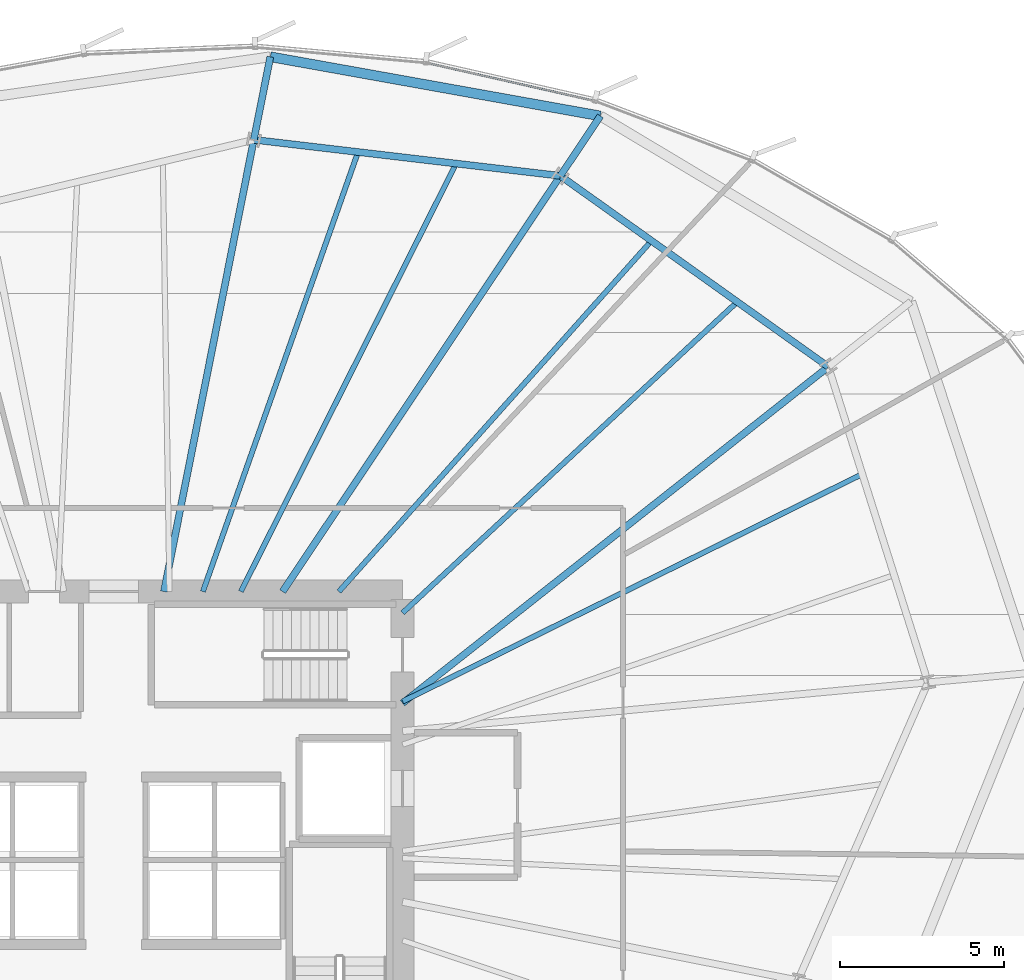
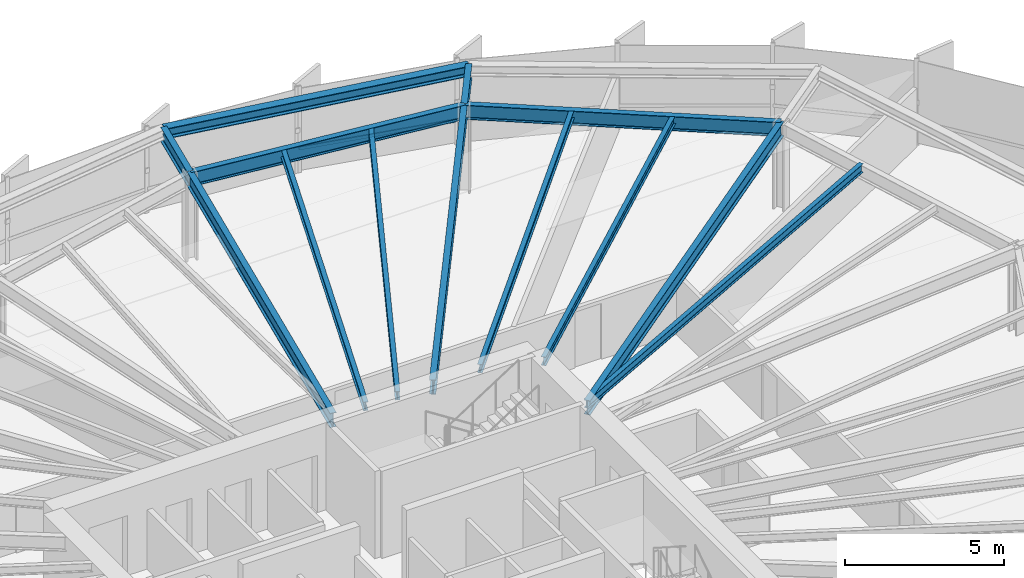
# One storey, part 22 of 35: 13 beams, 1 member, 1 element without a shape of its own.
"""IFC4 building model written with IfcOpenShell, lengths in metres."""

from ifc_helpers import new_model, si_unit, direction, frame, origin, origin_2d, place, context, subcontext, project, spatial, hollow_rectangle, i_section, extrude, source, transform, mapped, material, layer, layer_set, material_profile, profile_set, type_object, element, aggregate, save


model = new_model("IFC4")

# Units and contexts
model_context = context("Model", 3, precision=1e-05, world=origin(), true_north=direction((0.0, 1.0)))
body_context = subcontext(model_context, "Body", "Model", "MODEL_VIEW")
ifc_project = project(units=[si_unit("LENGTHUNIT", "METRE"), si_unit("AREAUNIT", "SQUARE_METRE"), si_unit("VOLUMEUNIT", "CUBIC_METRE"), si_unit("PLANEANGLEUNIT", "RADIAN"), si_unit("MASSUNIT", "GRAM", prefix="KILO"), si_unit("THERMODYNAMICTEMPERATUREUNIT", "KELVIN")], contexts=[model_context])

# Site, building, storey
site_placement = place(None, origin())
site = spatial("IfcSite", under=ifc_project, at=site_placement, CompositionType="ELEMENT")
building_placement = place(site_placement, origin())
building = spatial("IfcBuilding", under=site, at=building_placement, Name="Kethvar Cultural Tower", CompositionType="ELEMENT")
storey_placement = place(building_placement, frame((0.0, 0.0, 92.800048828125)))
storey = spatial("IfcBuildingStorey", under=building, at=storey_placement, Name="L22", CompositionType="ELEMENT", Elevation=92.800048828125)

# Beams
ifc_material_1 = material(Name="Steel S355J2", Category="steel")
ifc_material_profile_1 = material_profile(ifc_material_1, i_section(OverallWidth=0.2099609375, OverallDepth=0.550048828125, WebThickness=0.010986328125, FlangeThickness=0.01708984375, FilletRadius=0.02392578125, at=origin_2d()), Name="Steel S355J2 — IPE550")
ifc_profile_set_1 = profile_set([ifc_material_profile_1], Name="Steel S355J2 — IPE550")
beam_type_1 = type_object("IfcBeamType", Name="BM-IPE550", PredefinedType="BEAM", material=ifc_profile_set_1)
shared_shape_1 = source(origin(), body_context, "Body", "SweptSolid", [
    extrude(i_section(OverallWidth=0.2099609375, OverallDepth=0.550048828125, WebThickness=0.010986328125, FlangeThickness=0.01708984375, FilletRadius=0.02392578125, at=origin_2d()), origin(), (0.0, 0.0, 1.0), 16.527099609375),
])
beam_1_placement = place(storey_placement, frame((55.60009765625, 32.10009765625, 3.072998046875), z_axis=(0.784681939021, 0.619898584105, 0.0), x_axis=(-0.619898584105, 0.784681939021, 0.0)))
element("IfcBeam", 1, at=beam_1_placement, inside=storey, type_object=beam_type_1, Name="L22 Primary Radial Beam RB-02", PredefinedType="BEAM", context=body_context, shape_type="MappedRepresentation", body=[
    mapped(shared_shape_1, transform((0.0, 0.0, 0.0), scale=1.0)),
])
shared_shape_2 = source(origin(), body_context, "Body", "SweptSolid", [
    extrude(i_section(OverallWidth=0.2099609375, OverallDepth=0.550048828125, WebThickness=0.010986328125, FlangeThickness=0.01708984375, FilletRadius=0.02392578125, at=origin_2d()), origin(), (0.0, 0.0, 1.0), 15.22705078125),
])
beam_2_placement = place(storey_placement, frame((51.945068359375, 35.5, 3.072998046875), z_axis=(0.555569390778, 0.83147017507, 0.0), x_axis=(-0.83147017507, 0.555569390778, 0.0)))
element("IfcBeam", 2, at=beam_2_placement, inside=storey, type_object=beam_type_1, Name="L22 Primary Radial Beam RB-03", PredefinedType="BEAM", context=body_context, shape_type="MappedRepresentation", body=[
    mapped(shared_shape_2, transform((0.0, 0.0, 0.0), scale=1.0)),
])
shared_shape_3 = source(origin(), body_context, "Body", "SweptSolid", [
    extrude(i_section(OverallWidth=0.2099609375, OverallDepth=0.550048828125, WebThickness=0.010986328125, FlangeThickness=0.01708984375, FilletRadius=0.02392578125, at=origin_2d()), origin(), (0.0, 0.0, 1.0), 14.02880859375),
])
beam_3_placement = place(storey_placement, frame((48.33154296875, 35.5, 3.072998046875), z_axis=(0.195101986683, 0.980782960085, 0.0), x_axis=(-0.980782960085, 0.195101986683, 0.0)))
element("IfcBeam", 3, at=beam_3_placement, inside=storey, type_object=beam_type_1, Name="L22 Primary Radial Beam RB-04", PredefinedType="BEAM", context=body_context, shape_type="MappedRepresentation", body=[
    mapped(shared_shape_3, transform((0.0, 0.0, 0.0), scale=1.0)),
])
ifc_material_profile_2 = material_profile(ifc_material_1, i_section(OverallWidth=0.159912109375, OverallDepth=0.330078125, WebThickness=0.007568359375, FlangeThickness=0.011474609375, FilletRadius=0.01806640625, at=origin_2d()), Name="Steel S355J2 — IPE330")
ifc_profile_set_2 = profile_set([ifc_material_profile_2], Name="Steel S355J2 — IPE330")
beam_type_2 = type_object("IfcBeamType", Name="BM-J330", PredefinedType="JOIST", material=ifc_profile_set_2)
shared_shape_4 = source(origin(), body_context, "Body", "SweptSolid", [
    extrude(i_section(OverallWidth=0.159912109375, OverallDepth=0.330078125, WebThickness=0.007568359375, FlangeThickness=0.011474609375, FilletRadius=0.01806640625, at=origin_2d()), origin(), (0.0, 0.0, 1.0), 15.618896484375),
])
beam_4_placement = place(storey_placement, frame((55.60009765625, 32.152587890625, 3.182861328125), z_axis=(0.896344638992, 0.443357968408, 0.0), x_axis=(-0.443357968408, 0.896344638992, 0.0)))
element("IfcBeam", 4, at=beam_4_placement, inside=storey, type_object=beam_type_2, Name="L22 Composite Floor Joist J-01B", PredefinedType="JOIST", context=body_context, shape_type="MappedRepresentation", body=[
    mapped(shared_shape_4, transform((0.0, 0.0, 0.0), scale=1.0)),
])
shared_shape_5 = source(origin(), body_context, "Body", "SweptSolid", [
    extrude(i_section(OverallWidth=0.2099609375, OverallDepth=0.550048828125, WebThickness=0.010986328125, FlangeThickness=0.01708984375, FilletRadius=0.02392578125, at=origin_2d()), origin(), (0.0, 0.0, 1.0), 10.0234375),
])
beam_5_placement = place(storey_placement, frame((68.568603515625, 42.34521484375, 3.072998046875), z_axis=(-0.814470106239, 0.580205520521, 0.0), x_axis=(-0.580205520521, -0.814470106239, 0.0)))
element("IfcBeam", 5, at=beam_5_placement, inside=storey, type_object=beam_type_1, Name="L22 Column Ring Tie Beam CR-02", PredefinedType="BEAM", context=body_context, shape_type="MappedRepresentation", body=[
    mapped(shared_shape_5, transform((0.0, 0.0, 0.0), scale=1.0)),
])
shared_shape_6 = source(origin(), body_context, "Body", "SweptSolid", [
    extrude(i_section(OverallWidth=0.159912109375, OverallDepth=0.330078125, WebThickness=0.007568359375, FlangeThickness=0.011474609375, FilletRadius=0.01806640625, at=origin_2d()), origin(), (0.0, 0.0, 1.0), 13.91455078125),
])
beam_6_placement = place(storey_placement, frame((55.60009765625, 34.85009765625, 3.182861328125), z_axis=(0.732512843328, 0.680753211054, 0.0), x_axis=(-0.680753211054, 0.732512843328, 0.0)))
element("IfcBeam", 6, at=beam_6_placement, inside=storey, type_object=beam_type_2, Name="L22 Composite Floor Joist J-02A", PredefinedType="JOIST", context=body_context, shape_type="MappedRepresentation", body=[
    mapped(shared_shape_6, transform((0.0, 0.0, 0.0), scale=1.0)),
])
shared_shape_7 = source(origin(), body_context, "Body", "SweptSolid", [
    extrude(i_section(OverallWidth=0.159912109375, OverallDepth=0.330078125, WebThickness=0.007568359375, FlangeThickness=0.011474609375, FilletRadius=0.01806640625, at=origin_2d()), origin(), (0.0, 0.0, 1.0), 14.3095703125),
])
beam_7_placement = place(storey_placement, frame((53.660888671875, 35.5, 3.182861328125), z_axis=(0.665261381663, 0.746610537073, 0.0), x_axis=(-0.746610537073, 0.665261381663, 0.0)))
element("IfcBeam", 7, at=beam_7_placement, inside=storey, type_object=beam_type_2, Name="L22 Composite Floor Joist J-02B", PredefinedType="JOIST", context=body_context, shape_type="MappedRepresentation", body=[
    mapped(shared_shape_7, transform((0.0, 0.0, 0.0), scale=1.0)),
])
shared_shape_8 = source(origin(), body_context, "Body", "SweptSolid", [
    extrude(i_section(OverallWidth=0.2099609375, OverallDepth=0.550048828125, WebThickness=0.010986328125, FlangeThickness=0.01708984375, FilletRadius=0.02392578125, at=origin_2d()), origin(), (0.0, 0.0, 1.0), 9.400634765625),
])
beam_8_placement = place(storey_placement, frame((60.40478515625, 48.160888671875, 3.072998046875), z_axis=(-0.993150427046, 0.116842754407, 0.0), x_axis=(-0.116842754407, -0.993150427046, 0.0)))
element("IfcBeam", 8, at=beam_8_placement, inside=storey, type_object=beam_type_1, Name="L22 Column Ring Tie Beam CR-03", PredefinedType="BEAM", context=body_context, shape_type="MappedRepresentation", body=[
    mapped(shared_shape_8, transform((0.0, 0.0, 0.0), scale=1.0)),
])
shared_shape_9 = source(origin(), body_context, "Body", "SweptSolid", [
    extrude(i_section(OverallWidth=0.159912109375, OverallDepth=0.330078125, WebThickness=0.007568359375, FlangeThickness=0.011474609375, FilletRadius=0.01806640625, at=origin_2d()), origin(), (0.0, 0.0, 1.0), 14.590576171875),
])
beam_9_placement = place(storey_placement, frame((50.673583984375, 35.5, 3.182861328125), z_axis=(0.449394228778, 0.893333547529, 0.0), x_axis=(-0.893333547529, 0.449394228778, 0.0)))
element("IfcBeam", 9, at=beam_9_placement, inside=storey, type_object=beam_type_2, Name="L22 Composite Floor Joist J-03A", PredefinedType="JOIST", context=body_context, shape_type="MappedRepresentation", body=[
    mapped(shared_shape_9, transform((0.0, 0.0, 0.0), scale=1.0)),
])
shared_shape_10 = source(origin(), body_context, "Body", "SweptSolid", [
    extrude(i_section(OverallWidth=0.159912109375, OverallDepth=0.330078125, WebThickness=0.007568359375, FlangeThickness=0.011474609375, FilletRadius=0.01806640625, at=origin_2d()), origin(), (0.0, 0.0, 1.0), 14.1953125),
])
beam_10_placement = place(storey_placement, frame((49.517822265625, 35.5, 3.182861328125), z_axis=(0.332865098769, 0.942974456717, 0.0), x_axis=(-0.942974456717, 0.332865098769, 0.0)))
element("IfcBeam", 10, at=beam_10_placement, inside=storey, type_object=beam_type_2, Name="L22 Composite Floor Joist J-03B", PredefinedType="JOIST", context=body_context, shape_type="MappedRepresentation", body=[
    mapped(shared_shape_10, transform((0.0, 0.0, 0.0), scale=1.0)),
])
shared_shape_11 = source(origin(), body_context, "Body", "SweptSolid", [
    extrude(i_section(OverallWidth=0.2099609375, OverallDepth=0.550048828125, WebThickness=0.010986328125, FlangeThickness=0.01708984375, FilletRadius=0.02392578125, at=origin_2d()), origin(), (0.0, 0.0, 1.0), 2.193359375),
])
beam_11_placement = place(storey_placement, frame((60.40478515625, 48.160888671875, 3.072998046875), z_axis=(0.55554757586, 0.831484750886, 0.0), x_axis=(-0.831484750886, 0.55554757586, 0.0)))
element("IfcBeam", 11, at=beam_11_placement, inside=storey, type_object=beam_type_1, Name="L22 Perimeter Cantilever Beam RC-03", PredefinedType="BEAM", context=body_context, shape_type="MappedRepresentation", body=[
    mapped(shared_shape_11, transform((0.0, 0.0, 0.0), scale=1.0)),
])
shared_shape_12 = source(origin(), body_context, "Body", "SweptSolid", [
    extrude(i_section(OverallWidth=0.2099609375, OverallDepth=0.550048828125, WebThickness=0.010986328125, FlangeThickness=0.01708984375, FilletRadius=0.02392578125, at=origin_2d()), origin(), (0.0, 0.0, 1.0), 2.57763671875),
])
beam_12_placement = place(storey_placement, frame((51.068603515625, 49.25927734375, 3.072998046875), z_axis=(0.19502312029, 0.980798645264, 0.0), x_axis=(-0.980798645264, 0.19502312029, 0.0)))
element("IfcBeam", 12, at=beam_12_placement, inside=storey, type_object=beam_type_1, Name="L22 Perimeter Cantilever Beam RC-04", PredefinedType="BEAM", context=body_context, shape_type="MappedRepresentation", body=[
    mapped(shared_shape_12, transform((0.0, 0.0, 0.0), scale=1.0)),
])
ifc_material_profile_3 = material_profile(ifc_material_1, i_section(OverallWidth=0.300048828125, OverallDepth=0.39990234375, WebThickness=0.013427734375, FlangeThickness=0.02392578125, FilletRadius=0.027099609375, at=origin_2d()), Name="Steel S355J2 — HEB400")
ifc_profile_set_3 = profile_set([ifc_material_profile_3], Name="Steel S355J2 — HEB400")
beam_type_3 = type_object("IfcBeamType", Name="BM-SP400", PredefinedType="SPANDREL", material=ifc_profile_set_3)
shared_shape_13 = source(origin(), body_context, "Body", "SweptSolid", [
    extrude(i_section(OverallWidth=0.300048828125, OverallDepth=0.39990234375, WebThickness=0.013427734375, FlangeThickness=0.02392578125, FilletRadius=0.027099609375, at=origin_2d()), origin(), (0.0, 0.0, 1.0), 10.21240234375),
])
beam_13_placement = place(storey_placement, frame((61.623291015625, 49.984619140625, 3.14794921875), z_axis=(-0.984296245476, 0.176524505783, 0.0), x_axis=(-0.176524505783, -0.984296245476, 0.0)))
element("IfcBeam", 13, at=beam_13_placement, inside=storey, type_object=beam_type_3, Name="L22 Perimeter Spandrel Beam SP-03", PredefinedType="SPANDREL", context=body_context, shape_type="MappedRepresentation", body=[
    mapped(shared_shape_13, transform((0.0, 0.0, 0.0), scale=1.0)),
])

# Curtain wall, member
ifc_material_2 = material(Name="Aluminium 6063-T6", Category="aluminium")
ifc_layer = layer(ifc_material_2, 0.179931640625, Name="Aluminium 6063-T6", Category="aluminium")
ifc_layer_set = layer_set([ifc_layer], Name="Aluminium 6063-T6 (180 mm)")
curtain_wall_type = type_object("IfcCurtainWallType", Name="CW-SYS-03-Z2", PredefinedType="NOTDEFINED", material=ifc_layer_set)
curtain_wall_placement = place(storey_placement, origin())
curtain_wall = element("IfcCurtainWall", 14, at=curtain_wall_placement, inside=storey, type_object=curtain_wall_type, Name="L22 Curtain Wall Run 01", PredefinedType="NOTDEFINED")
ifc_material_profile_4 = material_profile(ifc_material_2, hollow_rectangle(XDim=0.054931640625, YDim=0.1201171875, WallThickness=0.00390625, at=origin_2d()), Name="Aluminium 6063-T6 — RHS120x55x4")
ifc_profile_set_4 = profile_set([ifc_material_profile_4], Name="Aluminium 6063-T6 — RHS120x55x4")
member_type = type_object("IfcMemberType", Name="CW-SYS-03-Z2-TRN", PredefinedType="USERDEFINED", material=ifc_profile_set_4)
shared_shape_14 = source(origin(), body_context, "Body", "SweptSolid", [
    extrude(hollow_rectangle(XDim=0.054931640625, YDim=0.1201171875, WallThickness=0.00390625, at=origin_2d()), origin(), (0.0, 0.0, 1.0), 5.16845703125),
])
member_placement = place(storey_placement, frame((61.415283203125, 50.4501953125, 0.949951171875), z_axis=(-0.97524779986, 0.22111474141, 0.0), x_axis=(-0.22111474141, -0.97524779986, 0.0)))
member = element("IfcMember", 15, at=member_placement, type_object=member_type, Name="CW-L22-R01 Transom 6", ObjectType="TRANSOM", PredefinedType="USERDEFINED", context=body_context, shape_type="MappedRepresentation", body=[
    mapped(shared_shape_14, transform((0.0, 0.0, 0.0), scale=1.0)),
])
aggregate(curtain_wall, [member])

save(model, "model.ifc")
